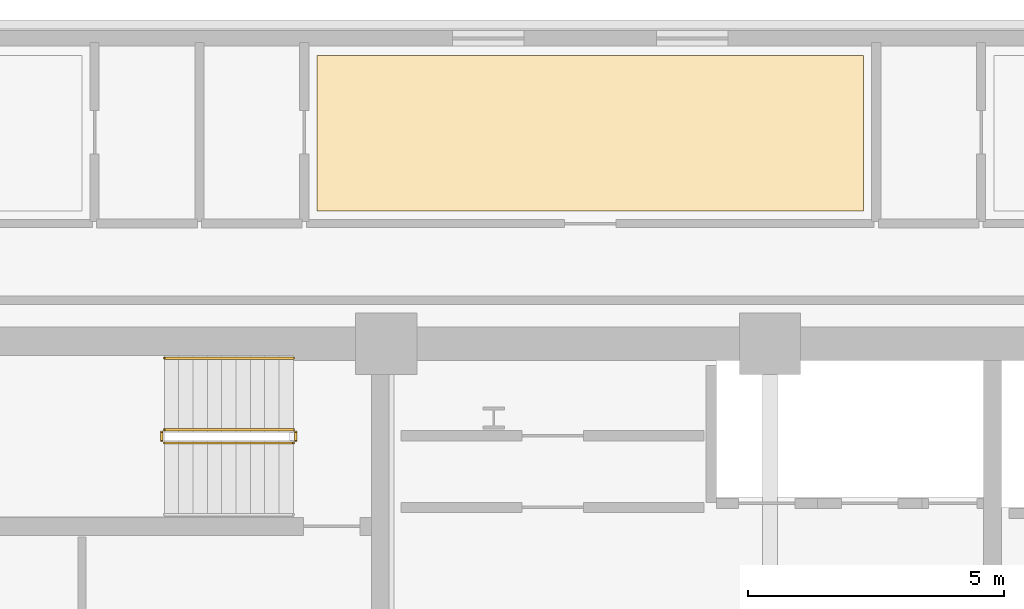
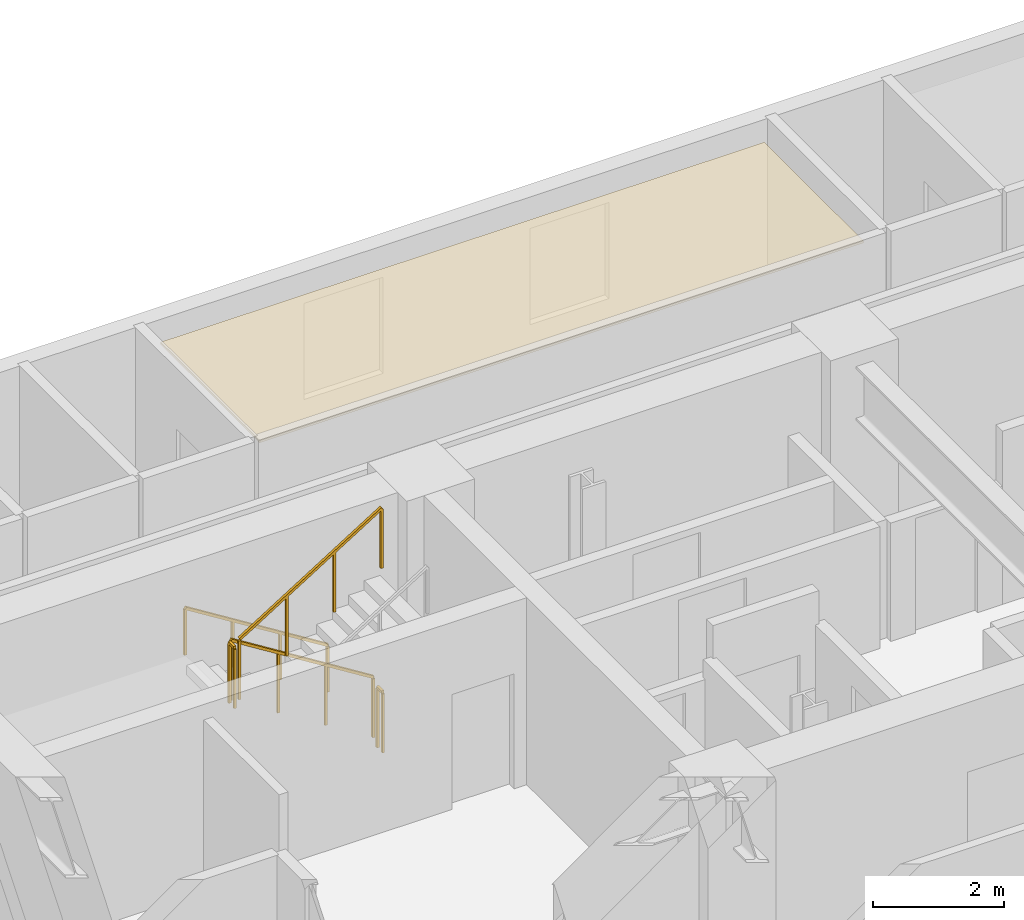
# One storey, part 14 of 15: 5 railings, 1 covering.
"""IFC4 building model written with IfcOpenShell, lengths in metres."""

import ifcopenshell
import ifcopenshell.guid

model = None  # the IFC model being written
_history = None  # IfcOwnerHistory: only IFC2X3 demands one
_inside = {}  # id of a spatial element -> (the spatial element, [elements in it])
_under = {}  # id of a project, library or spatial element -> (it, [spatial elements below it])
_declared = {}  # id of a project -> (the project, [libraries it declares])
_typed = {}  # id of a type object -> (the type object, [elements of that type])
_made_of = {}  # id of a material, layer set ... -> (it, [elements and type objects made of it])


def new_model(schema):
    """Start an empty IFC model of exactly this schema.

    Asked for "IFC4X3", IfcOpenShell would pick the latest addendum, in which some entities
    have other attributes; the version numbers below select the first issue.
    IFC2X3 requires an IfcOwnerHistory on every rooted entity: one is made here for all.
    """
    global model, _history
    if schema == "IFC4X3":
        model = ifcopenshell.file(schema_version=(4, 3, 0, 0))
    else:
        model = ifcopenshell.file(schema=schema)
    _inside.clear()
    _under.clear()
    _declared.clear()
    _typed.clear()
    _made_of.clear()
    _history = None
    if model.schema == "IFC2X3":
        org = make("IfcOrganization", Name="unknown")
        user = make(
            "IfcPersonAndOrganization",
            ThePerson=make("IfcPerson", FamilyName="unknown"),
            TheOrganization=org,
        )
        app = make(
            "IfcApplication",
            ApplicationDeveloper=org,
            Version="unknown",
            ApplicationFullName="unknown",
            ApplicationIdentifier="unknown",
        )
        _history = make(
            "IfcOwnerHistory",
            OwningUser=user,
            OwningApplication=app,
            ChangeAction="ADDED",
            CreationDate=0,
        )
    return model


def make(cls, **values):
    """One entity of the class cls with the attributes given. An attribute that is None is left unset."""
    return model.create_entity(
        cls, **{name: value for name, value in values.items() if value is not None}
    )


def rooted(cls, **values):
    """An entity with a GlobalId (a new one), such as an element, a storey or a relation."""
    return make(cls, GlobalId=ifcopenshell.guid.new(), OwnerHistory=_history, **values)


def si_unit(unit_type, name, prefix=None):
    """IfcSIUnit, for example si_unit("LENGTHUNIT", "METRE", prefix="MILLI")."""
    return make("IfcSIUnit", UnitType=unit_type, Prefix=prefix, Name=name)


def assignment(units):
    """IfcUnitAssignment: the units of a project."""
    return None if units is None else make("IfcUnitAssignment", Units=units)


def point(xyz):
    """IfcCartesianPoint."""
    return None if xyz is None else make("IfcCartesianPoint", Coordinates=xyz)


def direction(xyz):
    """IfcDirection."""
    return None if xyz is None else make("IfcDirection", DirectionRatios=xyz)


def frame(location, z_axis=None, x_axis=None):
    """IfcAxis2Placement3D, a coordinate frame: its origin and axes. An axis left out is left unset."""
    return make(
        "IfcAxis2Placement3D",
        Location=point(location),
        Axis=direction(z_axis),
        RefDirection=direction(x_axis),
    )


def frame_2d(location, x_axis=None):
    """IfcAxis2Placement2D, a coordinate frame in the plane: its origin and x axis."""
    return make(
        "IfcAxis2Placement2D", Location=point(location), RefDirection=direction(x_axis)
    )


def origin():
    """The frame at (0, 0, 0) with its axes left unset."""
    return frame((0.0, 0.0, 0.0))


def origin_2d():
    """The frame at (0, 0) in the plane with its x axis left unset."""
    return frame_2d((0.0, 0.0))


def place(relative_to, where):
    """IfcLocalPlacement: puts the frame where relative to a parent placement (None: the world)."""
    return make(
        "IfcLocalPlacement", PlacementRelTo=relative_to, RelativePlacement=where
    )


def context(
    kind, dimensions, precision=None, world=None, true_north=None, identifier=None
):
    """IfcGeometricRepresentationContext, for example the 3D "Model" context."""
    return make(
        "IfcGeometricRepresentationContext",
        ContextIdentifier=identifier,
        ContextType=kind,
        CoordinateSpaceDimension=dimensions,
        Precision=precision,
        WorldCoordinateSystem=world,
        TrueNorth=true_north,
    )


def subcontext(parent, identifier, kind, view, scale=None):
    """IfcGeometricRepresentationSubContext, for example "Body" below "Model"."""
    return make(
        "IfcGeometricRepresentationSubContext",
        ContextIdentifier=identifier,
        ContextType=kind,
        ParentContext=parent,
        TargetScale=scale,
        TargetView=view,
    )


def project(units=None, contexts=None):
    """IfcProject with its units and contexts."""
    return rooted(
        "IfcProject",
        Name="project",
        RepresentationContexts=contexts,
        UnitsInContext=assignment(units),
    )


def spatial(cls, under=None, at=None, **own):
    """A site, building, storey or space (cls), placed at a placement, below another one or the project."""
    s = rooted(cls, ObjectPlacement=at, **own)
    if under is not None:
        _under.setdefault(under.id(), (under, []))[1].append(s)
    return s


def polyline(points):
    """IfcPolyline through the points."""
    return make("IfcPolyline", Points=[point(p) for p in points])


def profile(cls, at=None, kind="AREA", **sizes):
    """A parametric profile (cls). Its sizes go by their IFC names, for example OverallWidth=200.0."""
    return make(cls, ProfileType=kind, Position=at, **sizes)


def rectangle(**sizes):
    """IfcRectangleProfileDef."""
    return profile("IfcRectangleProfileDef", **sizes)


def outline(outer, holes=None, kind="AREA"):
    """IfcArbitraryClosedProfileDef: a profile drawn as a closed curve; with holes, ...WithVoids."""
    if holes is None:
        return make("IfcArbitraryClosedProfileDef", ProfileType=kind, OuterCurve=outer)
    return make(
        "IfcArbitraryProfileDefWithVoids",
        ProfileType=kind,
        OuterCurve=outer,
        InnerCurves=holes,
    )


def extrude(swept, where, along, depth):
    """IfcExtrudedAreaSolid: the profile swept, set in the frame where, extruded along a direction by depth."""
    return make(
        "IfcExtrudedAreaSolid",
        SweptArea=swept,
        Position=where,
        ExtrudedDirection=direction(along),
        Depth=depth,
    )


def shape(context_of_items, identifier, shape_type, items):
    """IfcShapeRepresentation: the items that make up one representation, for example the "Body"."""
    return make(
        "IfcShapeRepresentation",
        ContextOfItems=context_of_items,
        RepresentationIdentifier=identifier,
        RepresentationType=shape_type,
        Items=items,
    )


def material(Name=None, Category=None):
    """IfcMaterial."""
    return make("IfcMaterial", Name=Name, Category=Category)


def layer(
    of_material, thickness, ventilated=None, Name=None, Category=None, Priority=None
):
    """IfcMaterialLayer: one layer of a wall or slab, of a material (None: an air gap)."""
    return make(
        "IfcMaterialLayer",
        Material=of_material,
        LayerThickness=thickness,
        IsVentilated=ventilated,
        Name=Name,
        Category=Category,
        Priority=Priority,
    )


def layer_set(layers, Name=None):
    """IfcMaterialLayerSet."""
    return make("IfcMaterialLayerSet", MaterialLayers=layers, LayerSetName=Name)


def made_of(thing, what):
    """Note that an element or type object is made of a material, layer set ...; save() writes the relation."""
    if what is not None:
        _made_of.setdefault(what.id(), (what, []))[1].append(thing)
    return thing


def type_object(cls, material=None, **own):
    """A type object (cls), such as IfcWallType, which elements share."""
    return made_of(rooted(cls, **own), material)


def element(
    cls,
    number,
    at=None,
    inside=None,
    cuts=None,
    type_object=None,
    material=None,
    context=None,
    identifier="Body",
    shape_type=None,
    held_by="IfcProductDefinitionShape",
    body=None,
    shapes=None,
    **own,
):
    """One element of the class cls, such as IfcWall. Its Tag is "e" and its number.

    at: its placement. inside: the storey or other place that contains it. cuts: it is an
    opening in that element (IfcRelVoidsElement). A single representation is given by context,
    identifier, shape_type and body (its items); several are given by shapes. held_by: the class
    of the entity that holds the representations. save() writes the other relations.
    """
    e = rooted(cls, Tag="e%d" % number, ObjectPlacement=at, **own)
    if body is not None:
        shapes = [shape(context, identifier, shape_type, body)]
    if shapes is not None:
        e.Representation = make(held_by, Representations=shapes)
    if inside is not None:
        _inside.setdefault(inside.id(), (inside, []))[1].append(e)
    if cuts is not None:
        rooted(
            "IfcRelVoidsElement", RelatingBuildingElement=cuts, RelatedOpeningElement=e
        )
    if type_object is not None:
        _typed.setdefault(type_object.id(), (type_object, []))[1].append(e)
    return made_of(e, material)


def aggregate(whole, parts):
    """IfcRelAggregates: a whole, such as a stair, and the parts it consists of."""
    return rooted("IfcRelAggregates", RelatingObject=whole, RelatedObjects=parts)


def save(model, path):
    """Write the relations noted so far, then the file.

    IfcRelAggregates (storeys below a building ...), IfcRelContainedInSpatialStructure (elements
    in a storey), IfcRelDefinesByType, IfcRelAssociatesMaterial and IfcRelDeclares: one each for
    every whole, place, type object, material and project.
    """
    for whole, parts in _under.values():
        aggregate(whole, parts)
    for where, things in _inside.values():
        rooted(
            "IfcRelContainedInSpatialStructure",
            RelatedElements=things,
            RelatingStructure=where,
        )
    for kind, things in _typed.values():
        rooted("IfcRelDefinesByType", RelatedObjects=things, RelatingType=kind)
    for what, things in _made_of.values():
        rooted("IfcRelAssociatesMaterial", RelatedObjects=things, RelatingMaterial=what)
    for by, libraries in _declared.values():
        rooted("IfcRelDeclares", RelatingContext=by, RelatedDefinitions=libraries)
    model.write(path)


model = new_model("IFC4")

# Units and contexts
model_context = context("Model", 3, precision=1e-05, world=origin(), true_north=direction((0.0, 1.0)))
body_context = subcontext(model_context, "Body", "Model", "MODEL_VIEW")
ifc_project = project(units=[si_unit("LENGTHUNIT", "METRE"), si_unit("AREAUNIT", "SQUARE_METRE"), si_unit("VOLUMEUNIT", "CUBIC_METRE"), si_unit("PLANEANGLEUNIT", "RADIAN"), si_unit("MASSUNIT", "GRAM", prefix="KILO")], contexts=[model_context])

# Site, building, storey
site_placement = place(None, origin())
site = spatial("IfcSite", under=ifc_project, at=site_placement, CompositionType="ELEMENT")
building_placement = place(site_placement, origin())
building = spatial("IfcBuilding", under=site, at=building_placement, Name="Zarnavel Station Tower", CompositionType="ELEMENT")
storey_placement = place(building_placement, frame((0.0, 0.0, 125.800048828125)))
storey = spatial("IfcBuildingStorey", under=building, at=storey_placement, Name="L34", CompositionType="ELEMENT", Elevation=125.800048828125)

# Covering
ifc_material_1 = material(Name="Perforated Gypsum and Mineral-Wool Acoustic Ceiling", Category="concrete")
ifc_layer = layer(ifc_material_1, 0.0400390625)
ifc_layer_set = layer_set([ifc_layer], Name="COV_CEIL_ACOUSTIC")
covering_type = type_object("IfcCoveringType", Name="COV_CEIL_ACOUSTIC", PredefinedType="CEILING", material=ifc_layer_set)
covering_placement = place(storey_placement, frame((0.0, 0.0, 2.919921875)))
element("IfcCovering", 1, at=covering_placement, inside=storey, type_object=covering_type, Name="L34 HN2R Acoustic Ceiling", PredefinedType="CEILING", context=body_context, shape_type="SweptSolid", body=[
    extrude(outline(polyline([(19.945068359375, 39.64990234375), (30.626953125, 39.64990234375), (30.626953125, 42.68994140625), (19.945068359375, 42.68994140625), (19.945068359375, 39.64990234375)])), origin(), (0.0, 0.0, 1.0), 0.0400390625),
])

# Railings
ifc_material_2 = material(Name="Painted Steel S355J2 Balustrade", Category="steel")
railing_type_1 = type_object("IfcRailingType", Name="GR_INT_1150", PredefinedType="GUARDRAIL", material=ifc_material_2)
railing_1_placement = place(storey_placement, frame((19.47998046875, 35.3701171875, 0.175048828125)))
element("IfcRailing", 2, at=railing_1_placement, inside=storey, type_object=railing_type_1, Name="L34 ST1 stair guard 1", PredefinedType="GUARDRAIL", context=body_context, shape_type="SweptSolid", body=[
    extrude(rectangle(XDim=0.048095703125, YDim=0.048095703125, at=origin_2d()), frame((-0.001708984375, 0.0, 1.126953125), z_axis=(-0.848007534815, 0.0, 0.529984170421), x_axis=(0.0, -1.0, 0.0)), (0.0, 0.0, 1.0), 2.9677734375),
    extrude(rectangle(XDim=0.0419921875, YDim=0.0419921875, at=origin_2d()), origin(), (0.0, 0.0, 1.0), 1.101806640625),
    extrude(rectangle(XDim=0.0419921875, YDim=0.0419921875, at=origin_2d()), frame((-0.840087890625, 0.0, 0.52490234375)), (0.0, 0.0, 1.0), 1.101806640625),
    extrude(rectangle(XDim=0.0419921875, YDim=0.0419921875, at=origin_2d()), frame((-1.679931640625, 0.0, 1.050048828125)), (0.0, 0.0, 1.0), 1.101806640625),
    extrude(rectangle(XDim=0.0419921875, YDim=0.0419921875, at=origin_2d()), frame((-2.52001953125, 0.0, 1.574951171875)), (0.0, 0.0, 1.0), 1.101806640625),
])
railing_2_placement = place(storey_placement, frame((16.909912109375, 35.320068359375, 1.75)))
element("IfcRailing", 3, at=railing_2_placement, inside=storey, type_object=railing_type_1, Name="L34 ST1 stair guard 2", PredefinedType="GUARDRAIL", context=body_context, shape_type="SweptSolid", body=[
    extrude(rectangle(XDim=0.048095703125, YDim=0.048095703125, at=origin_2d()), frame((0.0, -0.001953125, 1.1259765625), z_axis=(0.0, -1.0, 0.0), x_axis=(1.0, 0.0, 0.0)), (0.0, 0.0, 1.0), 0.15625),
    extrude(rectangle(XDim=0.0419921875, YDim=0.0419921875, at=origin_2d()), origin(), (0.0, 0.0, 1.0), 1.101806640625),
    extrude(rectangle(XDim=0.0419921875, YDim=0.0419921875, at=origin_2d()), frame((0.0, -0.16015625, 0.0)), (0.0, 0.0, 1.0), 1.101806640625),
])
railing_3_placement = place(storey_placement, frame((16.9599609375, 35.110107421875, 1.925048828125)))
element("IfcRailing", 4, at=railing_3_placement, inside=storey, type_object=railing_type_1, Name="L34 ST1 stair guard 3", PredefinedType="GUARDRAIL", context=body_context, shape_type="SweptSolid", body=[
    extrude(rectangle(XDim=0.048095703125, YDim=0.048095703125, at=origin_2d()), frame((0.001708984375, 0.0, 1.126953125), z_axis=(0.848007534815, 0.0, 0.529984170421), x_axis=(0.0, 1.0, 0.0)), (0.0, 0.0, 1.0), 2.9677734375),
    extrude(rectangle(XDim=0.0419921875, YDim=0.0419921875, at=origin_2d()), origin(), (0.0, 0.0, 1.0), 1.101806640625),
    extrude(rectangle(XDim=0.0419921875, YDim=0.0419921875, at=origin_2d()), frame((0.840087890625, 0.0, 0.52490234375)), (0.0, 0.0, 1.0), 1.101806640625),
    extrude(rectangle(XDim=0.0419921875, YDim=0.0419921875, at=origin_2d()), frame((1.679931640625, 0.0, 1.050048828125)), (0.0, 0.0, 1.0), 1.101806640625),
    extrude(rectangle(XDim=0.0419921875, YDim=0.0419921875, at=origin_2d()), frame((2.52001953125, 0.0, 1.574951171875)), (0.0, 0.0, 1.0), 1.101806640625),
])
railing_4_placement = place(storey_placement, frame((19.530029296875, 35.320068359375, 0.0)))
element("IfcRailing", 5, at=railing_4_placement, inside=storey, type_object=railing_type_1, Name="L34 ST1 stair guard 4", PredefinedType="GUARDRAIL", context=body_context, shape_type="SweptSolid", body=[
    extrude(rectangle(XDim=0.048095703125, YDim=0.048095703125, at=origin_2d()), frame((0.0, -0.001953125, 1.1259765625), z_axis=(0.0, -1.0, 0.0), x_axis=(1.0, 0.0, 0.0)), (0.0, 0.0, 1.0), 0.15625),
    extrude(rectangle(XDim=0.0419921875, YDim=0.0419921875, at=origin_2d()), origin(), (0.0, 0.0, 1.0), 1.101806640625),
    extrude(rectangle(XDim=0.0419921875, YDim=0.0419921875, at=origin_2d()), frame((0.0, -0.16015625, 0.0)), (0.0, 0.0, 1.0), 1.101806640625),
])
ifc_material_3 = material(Name="Brushed Stainless Steel S355J2 Handrail", Category="steel")
railing_type_2 = type_object("IfcRailingType", Name="HR_STAIR_900", PredefinedType="HANDRAIL", material=ifc_material_3)
railing_5_placement = place(storey_placement, frame((19.47998046875, 36.77001953125, 0.175048828125)))
element("IfcRailing", 6, at=railing_5_placement, inside=storey, type_object=railing_type_2, Name="L34 ST1 stair handrail 1", PredefinedType="HANDRAIL", context=body_context, shape_type="SweptSolid", body=[
    extrude(rectangle(XDim=0.048095703125, YDim=0.048095703125, at=origin_2d()), frame((-0.001708984375, 0.0, 0.876953125), z_axis=(-0.848007534815, 0.0, 0.529984170421), x_axis=(0.0, -1.0, 0.0)), (0.0, 0.0, 1.0), 2.9677734375),
    extrude(rectangle(XDim=0.0419921875, YDim=0.0419921875, at=origin_2d()), origin(), (0.0, 0.0, 1.0), 0.851806640625),
    extrude(rectangle(XDim=0.0419921875, YDim=0.0419921875, at=origin_2d()), frame((-0.840087890625, 0.0, 0.52490234375)), (0.0, 0.0, 1.0), 0.851806640625),
    extrude(rectangle(XDim=0.0419921875, YDim=0.0419921875, at=origin_2d()), frame((-1.679931640625, 0.0, 1.050048828125)), (0.0, 0.0, 1.0), 0.851806640625),
    extrude(rectangle(XDim=0.0419921875, YDim=0.0419921875, at=origin_2d()), frame((-2.52001953125, 0.0, 1.574951171875)), (0.0, 0.0, 1.0), 0.851806640625),
])

save(model, "model.ifc")
